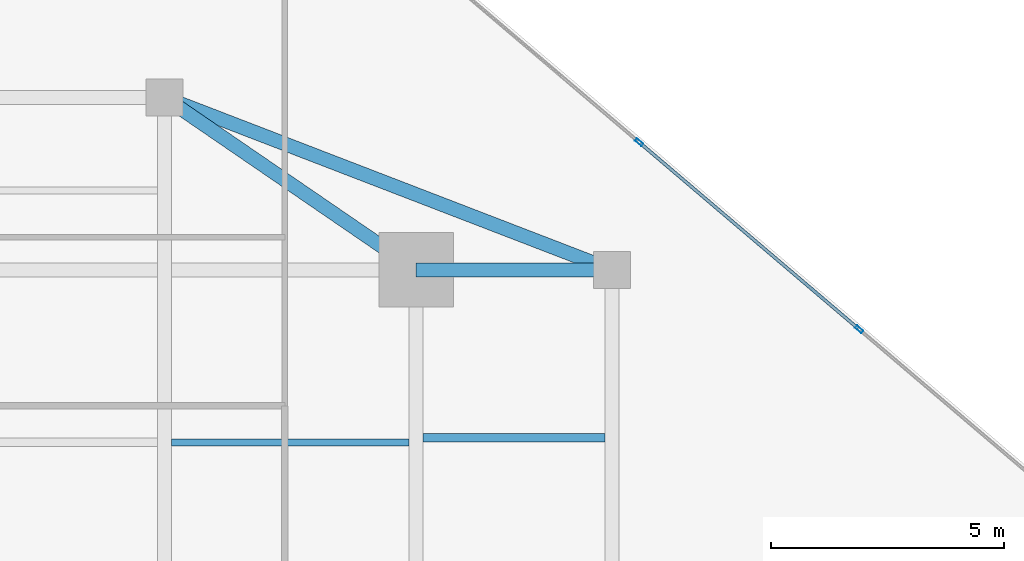
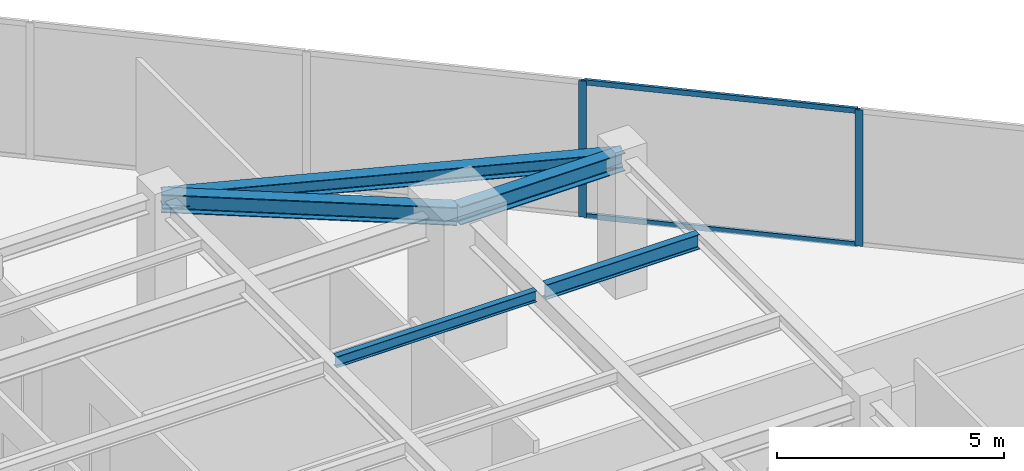
# One storey, part 19 of 26: 5 beams, 4 members, 1 element without a shape of its own.
"""IFC4 building model written with IfcOpenShell, lengths in metres."""

from ifc_helpers import new_model, si_unit, direction, frame, origin, origin_2d, place, context, subcontext, project, spatial, hollow_rectangle, i_section, extrude, source, transform, mapped, material, material_profile, profile_set, type_object, type_shapes, element, aggregate, save


model = new_model("IFC4")

# Units and contexts
model_context = context("Model", 3, precision=1e-05, world=origin(), true_north=direction((0.0, 1.0)))
body_context = subcontext(model_context, "Body", "Model", "MODEL_VIEW")
ifc_project = project(units=[si_unit("LENGTHUNIT", "METRE"), si_unit("AREAUNIT", "SQUARE_METRE"), si_unit("VOLUMEUNIT", "CUBIC_METRE"), si_unit("PLANEANGLEUNIT", "RADIAN"), si_unit("MASSUNIT", "GRAM", prefix="KILO")], contexts=[model_context])

# Site, building, storey
site_placement = place(None, origin())
site = spatial("IfcSite", under=ifc_project, at=site_placement, CompositionType="ELEMENT")
building_placement = place(site_placement, origin())
building = spatial("IfcBuilding", under=site, at=building_placement, Name="Krantzveldt Concourse Tower", CompositionType="ELEMENT")
storey_placement = place(building_placement, frame((0.0, 0.0, 207.300048828125)))
storey = spatial("IfcBuildingStorey", under=building, at=storey_placement, Name="L50", CompositionType="ELEMENT", Elevation=207.300048828125)

# Beams
ifc_material_1 = material(Name="Steel S355JR", Category="steel")
ifc_material_profile_1 = material_profile(ifc_material_1, i_section(OverallWidth=0.300048828125, OverallDepth=0.389892578125, WebThickness=0.010986328125, FlangeThickness=0.01904296875, FilletRadius=0.027099609375, at=origin_2d()), Name="Steel S355JR", Category="steel")
ifc_profile_set_1 = profile_set([ifc_material_profile_1], Name="Steel S355JR - HEA 400")
beam_type_1 = type_object("IfcBeamType", Name="BM-SP-HEA400", PredefinedType="SPANDREL", material=ifc_profile_set_1)
shared_shape_1 = source(origin(), body_context, "Body", "SweptSolid", [
    extrude(i_section(OverallWidth=0.300048828125, OverallDepth=0.389892578125, WebThickness=0.010986328125, FlangeThickness=0.01904296875, FilletRadius=0.027099609375, at=origin_2d()), origin(), (0.0, 0.0, 1.0), 10.288330078125),
])
type_shapes(beam_type_1, [shared_shape_1])
beam_1_placement = place(storey_placement, frame((41.39990234375, 41.199951171875, 3.474853515625), z_axis=(0.933097690408, -0.359622997257, 0.0), x_axis=(0.359622997257, 0.933097690408, 0.0)))
element("IfcBeam", 1, at=beam_1_placement, inside=storey, type_object=beam_type_1, Name="L50 Tower Girder SP-R05", PredefinedType="SPANDREL", context=body_context, shape_type="MappedRepresentation", body=[
    mapped(shared_shape_1, transform((0.0, 0.0, 0.0), x_axis=(1.0, 0.0, 0.0), y_axis=(0.0, 1.0, 0.0), z_axis=(0.0, 0.0, 1.0), scale=1.0)),
])
ifc_material_profile_2 = material_profile(ifc_material_1, i_section(OverallWidth=0.300048828125, OverallDepth=0.489990234375, WebThickness=0.011962890625, FlangeThickness=0.02294921875, FilletRadius=0.027099609375, at=origin_2d()), Name="Steel S355JR", Category="steel")
ifc_profile_set_2 = profile_set([ifc_material_profile_2], Name="Steel S355JR - HEA 500")
beam_type_2 = type_object("IfcBeamType", Name="BM-B-HEA500", PredefinedType="BEAM", material=ifc_profile_set_2)
shared_shape_2 = source(origin(), body_context, "Body", "SweptSolid", [
    extrude(i_section(OverallWidth=0.300048828125, OverallDepth=0.489990234375, WebThickness=0.011962890625, FlangeThickness=0.02294921875, FilletRadius=0.027099609375, at=origin_2d()), origin(), (0.0, 0.0, 1.0), 4.199951171875),
])
beam_2_placement = place(storey_placement, frame((46.800048828125, 37.5, 3.425048828125), z_axis=(1.0, 0.0, 0.0), x_axis=(0.0, 1.0, 0.0)))
element("IfcBeam", 2, at=beam_2_placement, inside=storey, type_object=beam_type_2, Name="L50 Tower Girder BR-RR3", PredefinedType="BEAM", context=body_context, shape_type="MappedRepresentation", body=[
    mapped(shared_shape_2, transform((0.0, 0.0, 0.0), x_axis=(1.0, 0.0, 0.0), y_axis=(0.0, 1.0, 0.0), z_axis=(0.0, 0.0, 1.0), scale=1.0)),
])
shared_shape_3 = source(origin(), body_context, "Body", "SweptSolid", [
    extrude(i_section(OverallWidth=0.300048828125, OverallDepth=0.489990234375, WebThickness=0.011962890625, FlangeThickness=0.02294921875, FilletRadius=0.027099609375, at=origin_2d()), origin(), (0.0, 0.0, 1.0), 6.546142578125),
])
type_shapes(beam_type_2, [shared_shape_2, shared_shape_3])
beam_3_placement = place(storey_placement, frame((46.800048828125, 37.5, 3.425048828125), z_axis=(-0.824942999484, 0.565215930068, 0.0), x_axis=(-0.565215930068, -0.824942999484, 0.0)))
element("IfcBeam", 3, at=beam_3_placement, inside=storey, type_object=beam_type_2, Name="L50 Tower Girder BR-RR4", PredefinedType="BEAM", context=body_context, shape_type="MappedRepresentation", body=[
    mapped(shared_shape_3, transform((0.0, 0.0, 0.0), x_axis=(1.0, 0.0, 0.0), y_axis=(0.0, 1.0, 0.0), z_axis=(0.0, 0.0, 1.0), scale=1.0)),
])
ifc_material_profile_3 = material_profile(ifc_material_1, i_section(OverallWidth=0.14990234375, OverallDepth=0.300048828125, WebThickness=0.007080078125, FlangeThickness=0.0107421875, FilletRadius=0.014892578125, at=origin_2d()), Name="Steel S355JR", Category="steel")
ifc_profile_set_3 = profile_set([ifc_material_profile_3], Name="Steel S355JR - IPE 300")
beam_type_3 = type_object("IfcBeamType", Name="BM-J-IPE300", PredefinedType="JOIST", material=ifc_profile_set_3)
shared_shape_4 = source(origin(), body_context, "Body", "SweptSolid", [
    extrude(i_section(OverallWidth=0.14990234375, OverallDepth=0.300048828125, WebThickness=0.007080078125, FlangeThickness=0.0107421875, FilletRadius=0.014892578125, at=origin_2d()), origin(), (0.0, 0.0, 1.0), 5.099853515625),
])
type_shapes(beam_type_3, [shared_shape_4])
beam_4_placement = place(storey_placement, frame((41.550048828125, 33.800048828125, 3.52001953125), z_axis=(1.0, 0.0, 0.0), x_axis=(0.0, 1.0, 0.0)))
element("IfcBeam", 4, at=beam_4_placement, inside=storey, type_object=beam_type_3, Name="L50 Secondary Floor Joist JN-E2", PredefinedType="JOIST", context=body_context, shape_type="MappedRepresentation", body=[
    mapped(shared_shape_4, transform((0.0, 0.0, 0.0), x_axis=(1.0, 0.0, 0.0), y_axis=(0.0, 1.0, 0.0), z_axis=(0.0, 0.0, 1.0), scale=1.0)),
])
ifc_material_profile_4 = material_profile(ifc_material_1, i_section(OverallWidth=0.179931640625, OverallDepth=0.39990234375, WebThickness=0.008544921875, FlangeThickness=0.013427734375, FilletRadius=0.02099609375, at=origin_2d()), Name="Steel S355JR", Category="steel")
ifc_profile_set_4 = profile_set([ifc_material_profile_4], Name="Steel S355JR - IPE 400")
beam_type_4 = type_object("IfcBeamType", Name="BM-J-IPE400", PredefinedType="JOIST", material=ifc_profile_set_4)
shared_shape_5 = source(origin(), body_context, "Body", "SweptSolid", [
    extrude(i_section(OverallWidth=0.179931640625, OverallDepth=0.39990234375, WebThickness=0.008544921875, FlangeThickness=0.013427734375, FilletRadius=0.02099609375, at=origin_2d()), origin(), (0.0, 0.0, 1.0), 3.900146484375),
])
type_shapes(beam_type_4, [shared_shape_5])
beam_5_placement = place(storey_placement, frame((46.949951171875, 33.89990234375, 3.469970703125), z_axis=(1.0, 0.0, 0.0), x_axis=(0.0, 1.0, 0.0)))
element("IfcBeam", 5, at=beam_5_placement, inside=storey, type_object=beam_type_4, Name="L50 Secondary Floor Joist JE-4", PredefinedType="JOIST", context=body_context, shape_type="MappedRepresentation", body=[
    mapped(shared_shape_5, transform((0.0, 0.0, 0.0), x_axis=(1.0, 0.0, 0.0), y_axis=(0.0, 1.0, 0.0), z_axis=(0.0, 0.0, 1.0), scale=1.0)),
])

# Curtain wall, members
ifc_material_2 = material(Name="Anodised aluminium 6063-T6", Category="aluminium")
curtain_wall_type = type_object("IfcCurtainWallType", Name="CW3", PredefinedType="USERDEFINED", material=ifc_material_2)
curtain_wall_placement = place(storey_placement, origin())
curtain_wall = element("IfcCurtainWall", 6, at=curtain_wall_placement, inside=storey, type_object=curtain_wall_type, Name="CW-L50-F10", ObjectType="UNITISED CURTAIN WALL", PredefinedType="USERDEFINED")
ifc_material_profile_5 = material_profile(ifc_material_2, hollow_rectangle(XDim=0.070068359375, YDim=0.179931640625, WallThickness=0.0048828125, at=origin_2d()), Name="Anodised aluminium 6063-T6", Category="aluminium")
ifc_profile_set_5 = profile_set([ifc_material_profile_5], Name="Anodised aluminium 6063-T6 - ALU-MULL 180x70x5")
member_type_1 = type_object("IfcMemberType", Name="CW-MUL-180", PredefinedType="MULLION", material=ifc_profile_set_5)
shared_shape_6 = source(origin(), body_context, "Body", "SweptSolid", [
    extrude(hollow_rectangle(XDim=0.070068359375, YDim=0.179931640625, WallThickness=0.0048828125, at=origin_2d()), origin(), (0.0, 0.0, 1.0), 3.669921875),
])
type_shapes(member_type_1, [shared_shape_6])
member_1_placement = place(storey_placement, frame((56.306396484375, 36.224365234375, 0.0), z_axis=(0.0, 0.0, 1.0), x_axis=(-0.647787694805, -0.761820912327, 0.0)))
member_1 = element("IfcMember", 7, at=member_1_placement, type_object=member_type_1, Name="CW-Z34 mullion 2", PredefinedType="MULLION", context=body_context, shape_type="MappedRepresentation", body=[
    mapped(shared_shape_6, transform((0.0, 0.0, 0.0), x_axis=(1.0, 0.0, 0.0), y_axis=(0.0, 1.0, 0.0), z_axis=(0.0, 0.0, 1.0), scale=1.0)),
])
member_2_placement = place(storey_placement, frame((51.5830078125, 40.24072265625, 0.0), z_axis=(0.0, 0.0, 1.0), x_axis=(-0.647787694805, -0.761820912327, 0.0)))
member_2 = element("IfcMember", 8, at=member_2_placement, type_object=member_type_1, Name="CW-Z34 mullion 3", PredefinedType="MULLION", context=body_context, shape_type="MappedRepresentation", body=[
    mapped(shared_shape_6, transform((0.0, 0.0, 0.0), x_axis=(1.0, 0.0, 0.0), y_axis=(0.0, 1.0, 0.0), z_axis=(0.0, 0.0, 1.0), scale=1.0)),
])
ifc_material_profile_6 = material_profile(ifc_material_2, hollow_rectangle(XDim=0.070068359375, YDim=0.139892578125, WallThickness=0.0048828125, at=origin_2d()), Name="Anodised aluminium 6063-T6", Category="aluminium")
ifc_profile_set_6 = profile_set([ifc_material_profile_6], Name="Anodised aluminium 6063-T6 - ALU-TRAN 140x70x5")
member_type_2 = type_object("IfcMemberType", Name="CW-TRN-150", PredefinedType="USERDEFINED", material=ifc_profile_set_6)
shared_shape_7 = source(origin(), body_context, "Body", "SweptSolid", [
    extrude(hollow_rectangle(XDim=0.070068359375, YDim=0.139892578125, WallThickness=0.0048828125, at=origin_2d()), origin(), (0.0, 0.0, 1.0), 6.1298828125),
])
type_shapes(member_type_2, [shared_shape_7])
member_3_placement = place(storey_placement, frame((56.279541015625, 36.2470703125, 0.034912109375), z_axis=(-0.761817452252, 0.647791763952, 0.0), x_axis=(-0.647791763952, -0.761817452252, 0.0)))
member_3 = element("IfcMember", 9, at=member_3_placement, type_object=member_type_2, Name="CW-Z34 transom 2.1", ObjectType="TRANSOM", PredefinedType="USERDEFINED", context=body_context, shape_type="MappedRepresentation", body=[
    mapped(shared_shape_7, transform((0.0, 0.0, 0.0), x_axis=(1.0, 0.0, 0.0), y_axis=(0.0, 1.0, 0.0), z_axis=(0.0, 0.0, 1.0), scale=1.0)),
])
member_4_placement = place(storey_placement, frame((56.279541015625, 36.2470703125, 3.635009765625), z_axis=(-0.761817452252, 0.647791763952, 0.0), x_axis=(-0.647791763952, -0.761817452252, 0.0)))
member_4 = element("IfcMember", 10, at=member_4_placement, type_object=member_type_2, Name="CW-Z34 transom 2.2", ObjectType="TRANSOM", PredefinedType="USERDEFINED", context=body_context, shape_type="MappedRepresentation", body=[
    mapped(shared_shape_7, transform((0.0, 0.0, 0.0), x_axis=(1.0, 0.0, 0.0), y_axis=(0.0, 1.0, 0.0), z_axis=(0.0, 0.0, 1.0), scale=1.0)),
])
aggregate(curtain_wall, [member_1, member_2, member_3, member_4])

save(model, "model.ifc")
